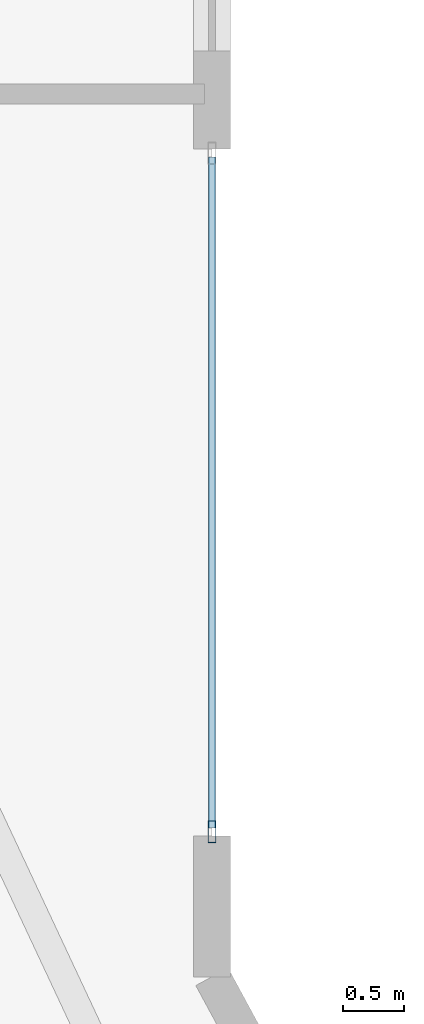
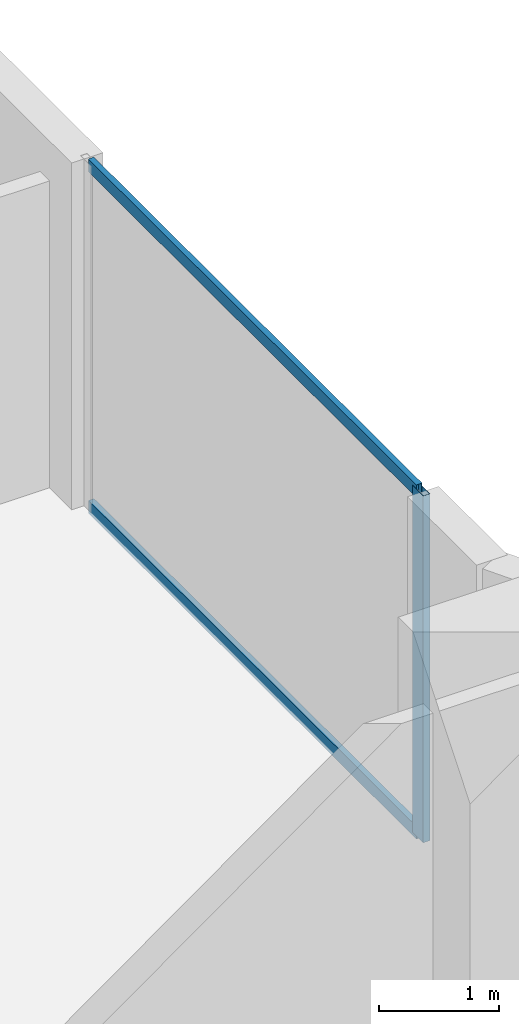
# One storey, part 16 of 32: 3 members, 1 element without a shape of its own.
"""IFC4 building model written with IfcOpenShell, lengths in metres."""

from ifc_helpers import new_model, si_unit, direction, frame, origin, origin_2d, place, context, subcontext, project, spatial, hollow_rectangle, extrude, material, layer, layer_set, material_profile, profile_set, type_object, element, aggregate, save


model = new_model("IFC4")

# Units and contexts
model_context = context("Model", 3, precision=1e-05, world=origin(), true_north=direction((0.0, 1.0)))
body_context = subcontext(model_context, "Body", "Model", "MODEL_VIEW")
ifc_project = project(units=[si_unit("LENGTHUNIT", "METRE"), si_unit("AREAUNIT", "SQUARE_METRE"), si_unit("VOLUMEUNIT", "CUBIC_METRE"), si_unit("PLANEANGLEUNIT", "RADIAN"), si_unit("MASSUNIT", "GRAM", prefix="KILO")], contexts=[model_context])

# Site, building, storey
site_placement = place(None, origin())
site = spatial("IfcSite", under=ifc_project, at=site_placement, CompositionType="ELEMENT")
building_placement = place(site_placement, origin())
building = spatial("IfcBuilding", under=site, at=building_placement, Name="Zuhayl Quay Hotel", CompositionType="ELEMENT")
storey_placement = place(building_placement, frame((0.0, 0.0, 203.64990234375)))
storey = spatial("IfcBuildingStorey", under=building, at=storey_placement, Name="L51", CompositionType="ELEMENT", Elevation=203.64990234375)

# Curtain wall, members
ifc_material_1 = material(Name="Anodised Aluminium 6063-T6", Category="aluminium")
ifc_layer = layer(ifc_material_1, 0.175048828125, Name="Anodised Aluminium 6063-T6", Category="aluminium")
ifc_layer_set = layer_set([ifc_layer], Name="Anodised Aluminium 6063-T6")
curtain_wall_type = type_object("IfcCurtainWallType", Name="CW_SYS_Z3", PredefinedType="USERDEFINED", material=ifc_layer_set)
curtain_wall_placement = place(storey_placement, origin())
curtain_wall = element("IfcCurtainWall", 1, at=curtain_wall_placement, inside=storey, type_object=curtain_wall_type, Name="L51 Curtain Wall ENV_L51_E11_CW1", ObjectType="UNITISED CURTAIN WALL", PredefinedType="USERDEFINED")
ifc_material_2 = material(Name="Black-anodised aluminium 6063-T6", Category="aluminium")
ifc_material_profile_1 = material_profile(ifc_material_2, hollow_rectangle(XDim=0.06494140625, YDim=0.179931640625, WallThickness=0.00341796875, at=origin_2d()), Name="ALU180X65")
ifc_profile_set_1 = profile_set([ifc_material_profile_1], Name="Black-anodised aluminium 6063-T6")
member_type_1 = type_object("IfcMemberType", Name="MB_CW_MUL_180", PredefinedType="MULLION", material=ifc_profile_set_1)
member_1_placement = place(storey_placement, frame((22.10009765625, 18.982421875, 0.0), z_axis=(0.0, 0.0, 1.0), x_axis=(1.0, 0.0, 0.0)))
member_1 = element("IfcMember", 2, at=member_1_placement, type_object=member_type_1, Name="CW-Z3 mullion 2", PredefinedType="MULLION", context=body_context, shape_type="SweptSolid", body=[
    extrude(hollow_rectangle(XDim=0.06494140625, YDim=0.179931640625, WallThickness=0.00341796875, at=origin_2d()), origin(), (0.0, 0.0, 1.0), 3.530029296875),
])
ifc_material_profile_2 = material_profile(ifc_material_2, hollow_rectangle(XDim=0.054931640625, YDim=0.1298828125, WallThickness=0.0029296875, at=origin_2d()), Name="ALU130X55")
ifc_profile_set_2 = profile_set([ifc_material_profile_2], Name="Black-anodised aluminium 6063-T6")
member_type_2 = type_object("IfcMemberType", Name="MB_CW_TRN_130", PredefinedType="USERDEFINED", material=ifc_profile_set_2)
member_2_placement = place(storey_placement, frame((22.10009765625, 24.485107421875, 0.027587890625), z_axis=(0.0, -1.0, 0.0), x_axis=(1.0, 0.0, 0.0)))
member_2 = element("IfcMember", 3, at=member_2_placement, type_object=member_type_2, Name="CW-Z3 transom 1.1", ObjectType="TRANSOM", PredefinedType="USERDEFINED", context=body_context, shape_type="SweptSolid", body=[
    extrude(hollow_rectangle(XDim=0.054931640625, YDim=0.1298828125, WallThickness=0.0029296875, at=origin_2d()), origin(), (0.0, 0.0, 1.0), 5.47021484375),
])
member_3_placement = place(storey_placement, frame((22.10009765625, 24.485107421875, 3.502685546875), z_axis=(0.0, -1.0, 0.0), x_axis=(1.0, 0.0, 0.0)))
member_3 = element("IfcMember", 4, at=member_3_placement, type_object=member_type_2, Name="CW-Z3 transom 1.2", ObjectType="TRANSOM", PredefinedType="USERDEFINED", context=body_context, shape_type="SweptSolid", body=[
    extrude(hollow_rectangle(XDim=0.054931640625, YDim=0.1298828125, WallThickness=0.0029296875, at=origin_2d()), origin(), (0.0, 0.0, 1.0), 5.47021484375),
])
aggregate(curtain_wall, [member_1, member_2, member_3])

save(model, "model.ifc")
